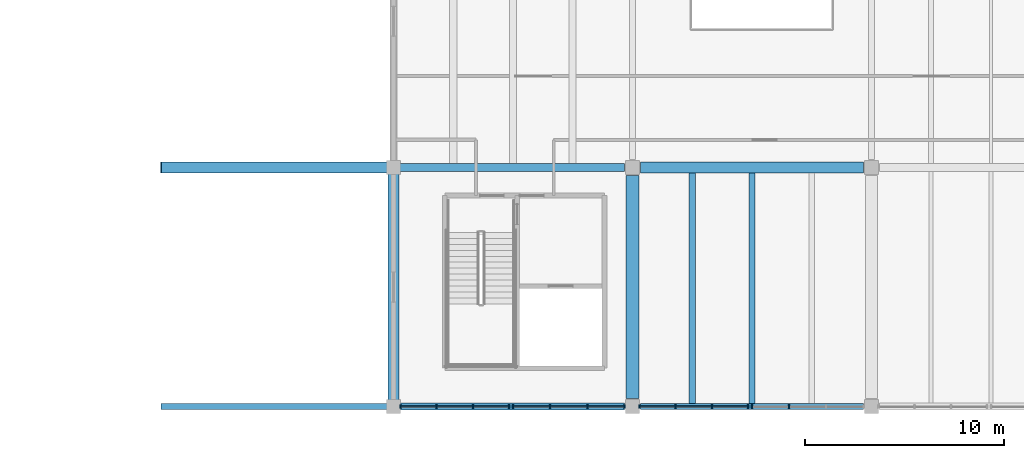
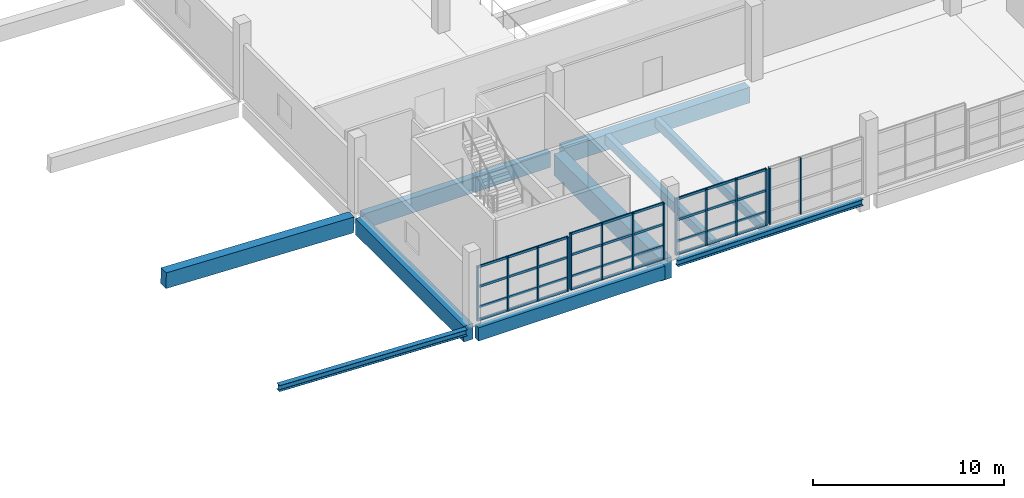
# One storey, part 7 of 49: 26 members, 10 beams, 4 elements without a shape of their own.
"""IFC4 building model written with IfcOpenShell, lengths in metres."""

from ifc_helpers import new_model, si_unit, direction, frame, origin, origin_2d, place, context, subcontext, project, spatial, rectangle, i_section, extrude, material, material_profile, profile_set, type_object, element, aggregate, save


model = new_model("IFC4")

# Units and contexts
model_context = context("Model", 3, precision=1e-05, world=origin(), true_north=direction((0.0, 1.0)))
body_context = subcontext(model_context, "Body", "Model", "MODEL_VIEW")
ifc_project = project(units=[si_unit("LENGTHUNIT", "METRE"), si_unit("AREAUNIT", "SQUARE_METRE"), si_unit("VOLUMEUNIT", "CUBIC_METRE"), si_unit("PLANEANGLEUNIT", "RADIAN"), si_unit("MASSUNIT", "GRAM", prefix="KILO")], contexts=[model_context])

# Site, building, storey
site_placement = place(None, origin())
site = spatial("IfcSite", under=ifc_project, at=site_placement, CompositionType="ELEMENT")
building_placement = place(site_placement, origin())
building = spatial("IfcBuilding", under=site, at=building_placement, Name="Kamomehara Wholesale Market", CompositionType="ELEMENT")
storey_placement = place(building_placement, frame((0.0, 0.0, 11.39990234375)))
storey = spatial("IfcBuildingStorey", under=building, at=storey_placement, Name="L02", CompositionType="ELEMENT", Elevation=11.39990234375)

# Beams
ifc_material_1 = material(Name="Precast concrete Fc45 (C40/50)", Category="concrete")
ifc_material_profile_1 = material_profile(ifc_material_1, rectangle(XDim=0.64990234375, YDim=1.35009765625, at=origin_2d()), Name="PC-GRD-650x1350")
ifc_profile_set_1 = profile_set([ifc_material_profile_1], Name="Precast concrete Fc45 (C40/50)")
beam_type_1 = type_object("IfcBeamType", Name="BM-PG1350", PredefinedType="T_BEAM", material=ifc_profile_set_1)
beam_1_placement = place(storey_placement, frame((120.0, 12.39990234375, -1.02685546875), z_axis=(0.0, 1.0, 0.0), x_axis=(-1.0, 0.0, 0.0)))
element("IfcBeam", 1, at=beam_1_placement, inside=storey, type_object=beam_type_1, Name="Beam PG-03 L02", PredefinedType="T_BEAM", context=body_context, shape_type="SweptSolid", body=[
    extrude(rectangle(XDim=0.64990234375, YDim=1.35009765625, at=origin_2d()), origin(), (0.0, 0.0, 1.0), 11.2001953125),
])
ifc_material_2 = material(Name="Precast concrete Fc45 (C40/50)", Category="concrete")
ifc_material_profile_2 = material_profile(ifc_material_2, rectangle(XDim=0.300048828125, YDim=0.550048828125, at=origin_2d()), Name="PC-JST-300x550")
ifc_profile_set_2 = profile_set([ifc_material_profile_2], Name="Precast concrete Fc45 (C40/50)")
beam_type_2 = type_object("IfcBeamType", Name="BM-PJ550", PredefinedType="JOIST", material=ifc_profile_set_2)
beam_2_placement = place(storey_placement, frame((126.0, 12.14990234375, -0.5869140625), z_axis=(0.0, 1.0, 0.0), x_axis=(-1.0, 0.0, 0.0)))
element("IfcBeam", 2, at=beam_2_placement, inside=storey, type_object=beam_type_2, Name="Beam PJ-06 L02", PredefinedType="JOIST", context=body_context, shape_type="SweptSolid", body=[
    extrude(rectangle(XDim=0.300048828125, YDim=0.550048828125, at=origin_2d()), origin(), (0.0, 0.0, 1.0), 11.5751953125),
])
ifc_material_3 = material(Name="Precast concrete Fc45 (C40/50)", Category="concrete")
ifc_material_profile_3 = material_profile(ifc_material_3, rectangle(XDim=0.320068359375, YDim=0.60009765625, at=origin_2d()), Name="PC-JST-320x600")
ifc_profile_set_3 = profile_set([ifc_material_profile_3], Name="Precast concrete Fc45 (C40/50)")
beam_type_3 = type_object("IfcBeamType", Name="BM-PJ600", PredefinedType="JOIST", material=ifc_profile_set_3)
beam_3_placement = place(storey_placement, frame((123.0, 12.14990234375, -0.61181640625), z_axis=(0.0, 1.0, 0.0), x_axis=(-1.0, 0.0, 0.0)))
element("IfcBeam", 3, at=beam_3_placement, inside=storey, type_object=beam_type_3, Name="Beam PJ-05 L02", PredefinedType="JOIST", context=body_context, shape_type="SweptSolid", body=[
    extrude(rectangle(XDim=0.320068359375, YDim=0.60009765625, at=origin_2d()), origin(), (0.0, 0.0, 1.0), 11.5751953125),
])
ifc_material_4 = material(Name="Concrete Fc36 (C35/45)", Category="concrete")
ifc_material_profile_4 = material_profile(ifc_material_4, rectangle(XDim=0.550048828125, YDim=1.0, at=origin_2d()), Name="RC-SEB-550x1000")
ifc_profile_set_4 = profile_set([ifc_material_profile_4], Name="Concrete Fc36 (C35/45)")
beam_type_4 = type_object("IfcBeamType", Name="BM-SEB1000-EXT", PredefinedType="SPANDREL", material=ifc_profile_set_4)
beam_4_placement = place(storey_placement, frame((108.0, 12.324951171875, -0.851806640625), z_axis=(0.0, 1.0, 0.0), x_axis=(-1.0, 0.0, 0.0)))
element("IfcBeam", 4, at=beam_4_placement, inside=storey, type_object=beam_type_4, Name="Beam SEB-03E L02", PredefinedType="SPANDREL", context=body_context, shape_type="SweptSolid", body=[
    extrude(rectangle(XDim=0.550048828125, YDim=1.0, at=origin_2d()), origin(), (0.0, 0.0, 1.0), 11.35009765625),
])
beam_5_placement = place(storey_placement, frame((96.324951171875, 24.0, -0.35986328125), z_axis=(0.999379124949, 0.0, -0.035233004642), x_axis=(0.0, 1.0, 0.0)))
element("IfcBeam", 5, at=beam_5_placement, inside=storey, type_object=beam_type_4, Name="Beam SEB-03E L02", PredefinedType="SPANDREL", context=body_context, shape_type="SweptSolid", body=[
    extrude(rectangle(XDim=0.550048828125, YDim=1.0, at=origin_2d()), origin(), (0.0, 0.0, 1.0), 11.357177734375),
])
beam_6_placement = place(storey_placement, frame((120.39990234375, 24.0, -0.841796875), z_axis=(1.0, 0.0, 0.0), x_axis=(0.0, 1.0, 0.0)))
element("IfcBeam", 6, at=beam_6_placement, inside=storey, type_object=beam_type_4, Name="Beam SEB-03E L02", PredefinedType="SPANDREL", context=body_context, shape_type="SweptSolid", body=[
    extrude(rectangle(XDim=0.550048828125, YDim=1.0, at=origin_2d()), origin(), (0.0, 0.0, 1.0), 11.2001953125),
])
ifc_material_5 = material(Name="Precast concrete Fc45 (C40/50)", Category="concrete")
ifc_material_profile_5 = material_profile(ifc_material_5, rectangle(XDim=0.35009765625, YDim=0.85009765625, at=origin_2d()), Name="PC-SPN-350x850")
ifc_profile_set_5 = profile_set([ifc_material_profile_5], Name="Precast concrete Fc45 (C40/50)")
beam_type_5 = type_object("IfcBeamType", Name="BM-SPN850-EXT", PredefinedType="SPANDREL", material=ifc_profile_set_5)
beam_7_placement = place(storey_placement, frame((108.324951171875, 12.0, -0.77685546875), z_axis=(1.0, 0.0, 0.0), x_axis=(0.0, 1.0, 0.0)))
element("IfcBeam", 7, at=beam_7_placement, inside=storey, type_object=beam_type_5, Name="Beam SPN-02E L02", PredefinedType="SPANDREL", context=body_context, shape_type="SweptSolid", body=[
    extrude(rectangle(XDim=0.35009765625, YDim=0.85009765625, at=origin_2d()), origin(), (0.0, 0.0, 1.0), 11.275146484375),
])
ifc_material_6 = material(Name="Precast concrete Fc45 (C40/50)", Category="concrete")
ifc_material_profile_6 = material_profile(ifc_material_6, rectangle(XDim=0.39990234375, YDim=0.949951171875, at=origin_2d()), Name="PC-SPN-400x950")
ifc_profile_set_6 = profile_set([ifc_material_profile_6], Name="Precast concrete Fc45 (C40/50)")
beam_type_6 = type_object("IfcBeamType", Name="BM-SPN950-EXT", PredefinedType="SPANDREL", material=ifc_profile_set_6)
beam_8_placement = place(storey_placement, frame((108.324951171875, 24.0, -0.826904296875), z_axis=(1.0, 0.0, 0.0), x_axis=(0.0, 1.0, 0.0)))
element("IfcBeam", 8, at=beam_8_placement, inside=storey, type_object=beam_type_6, Name="Beam SPN-01E L02", PredefinedType="SPANDREL", context=body_context, shape_type="SweptSolid", body=[
    extrude(rectangle(XDim=0.39990234375, YDim=0.949951171875, at=origin_2d()), origin(), (0.0, 0.0, 1.0), 11.275146484375),
])
ifc_material_7 = material(Name="Steel SN490B", Category="steel")
ifc_material_profile_7 = material_profile(ifc_material_7, i_section(OverallWidth=0.300048828125, OverallDepth=0.389892578125, WebThickness=0.010009765625, FlangeThickness=0.01611328125, FilletRadius=0.01806640625, at=origin_2d()), Name="H-390x300x10x16")
ifc_profile_set_7 = profile_set([ifc_material_profile_7], Name="Steel SN490B")
beam_type_7 = type_object("IfcBeamType", Name="BM-ST-H390-EXT", PredefinedType="SPANDREL", material=ifc_profile_set_7)
beam_9_placement = place(storey_placement, frame((96.324951171875, 12.0, -0.054931640625), z_axis=(0.99937988164, 0.0, -0.035211534655), x_axis=(0.0, 1.0, 0.0)))
element("IfcBeam", 9, at=beam_9_placement, inside=storey, type_object=beam_type_7, Name="Beam SJ-03E L02", PredefinedType="SPANDREL", context=body_context, shape_type="SweptSolid", body=[
    extrude(i_section(OverallWidth=0.300048828125, OverallDepth=0.389892578125, WebThickness=0.010009765625, FlangeThickness=0.01611328125, FilletRadius=0.01806640625, at=origin_2d()), origin(), (0.0, 0.0, 1.0), 11.357177734375),
])
beam_10_placement = place(storey_placement, frame((120.39990234375, 12.0, -0.5068359375), z_axis=(1.0, 0.0, 0.0), x_axis=(0.0, 1.0, 0.0)))
element("IfcBeam", 10, at=beam_10_placement, inside=storey, type_object=beam_type_7, Name="Beam SJ-03E L02", PredefinedType="SPANDREL", context=body_context, shape_type="SweptSolid", body=[
    extrude(i_section(OverallWidth=0.300048828125, OverallDepth=0.389892578125, WebThickness=0.010009765625, FlangeThickness=0.01611328125, FilletRadius=0.01806640625, at=origin_2d()), origin(), (0.0, 0.0, 1.0), 11.2001953125),
])

# Curtain wall, members
ifc_material_8 = material(Name="Anodised aluminium 6063-T5", Category="aluminium")
curtain_wall_type = type_object("IfcCurtainWallType", Name="CW-UN-01", PredefinedType="NOTDEFINED", material=ifc_material_8)
curtain_wall_1_placement = place(storey_placement, origin())
curtain_wall_1 = element("IfcCurtainWall", 11, at=curtain_wall_1_placement, inside=storey, type_object=curtain_wall_type, Name="Unitised curtain wall CW-143", PredefinedType="NOTDEFINED")
ifc_material_9 = material(Name="Anodised aluminium 6063-T5", Category="aluminium")
ifc_material_profile_8 = material_profile(ifc_material_9, rectangle(XDim=0.074951171875, YDim=0.179931640625, at=origin_2d()), Name="ALU-MUL-75x180")
ifc_profile_set_8 = profile_set([ifc_material_profile_8], Name="Anodised aluminium 6063-T5")
member_type_1 = type_object("IfcMemberType", Name="CW-MUL-180", PredefinedType="MULLION", material=ifc_profile_set_8)
member_1_placement = place(storey_placement, frame((119.60009765625, 12.0, 0.0), z_axis=(0.0, 0.0, 1.0), x_axis=(-1.0, 0.0, 0.0)))
member_1 = element("IfcMember", 12, at=member_1_placement, type_object=member_type_1, Name="Mullion CW-143.0", PredefinedType="MULLION", context=body_context, shape_type="SweptSolid", body=[
    extrude(rectangle(XDim=0.074951171875, YDim=0.179931640625, at=origin_2d()), origin(), (0.0, 0.0, 1.0), 3.608154296875),
])
member_2_placement = place(storey_placement, frame((117.73291015625, 12.0, 0.0), z_axis=(0.0, 0.0, 1.0), x_axis=(-1.0, 0.0, 0.0)))
member_2 = element("IfcMember", 13, at=member_2_placement, type_object=member_type_1, Name="Mullion CW-143.1", PredefinedType="MULLION", context=body_context, shape_type="SweptSolid", body=[
    extrude(rectangle(XDim=0.074951171875, YDim=0.179931640625, at=origin_2d()), origin(), (0.0, 0.0, 1.0), 3.608154296875),
])
member_3_placement = place(storey_placement, frame((115.866943359375, 12.0, 0.0), z_axis=(0.0, 0.0, 1.0), x_axis=(-1.0, 0.0, 0.0)))
member_3 = element("IfcMember", 14, at=member_3_placement, type_object=member_type_1, Name="Mullion CW-143.2", PredefinedType="MULLION", context=body_context, shape_type="SweptSolid", body=[
    extrude(rectangle(XDim=0.074951171875, YDim=0.179931640625, at=origin_2d()), origin(), (0.0, 0.0, 1.0), 3.608154296875),
])
member_4_placement = place(storey_placement, frame((114.0, 12.0, 0.0), z_axis=(0.0, 0.0, 1.0), x_axis=(-1.0, 0.0, 0.0)))
member_4 = element("IfcMember", 15, at=member_4_placement, type_object=member_type_1, Name="Mullion CW-143.3", PredefinedType="MULLION", context=body_context, shape_type="SweptSolid", body=[
    extrude(rectangle(XDim=0.074951171875, YDim=0.179931640625, at=origin_2d()), origin(), (0.0, 0.0, 1.0), 3.608154296875),
])

curtain_wall_2_placement = place(storey_placement, origin())
curtain_wall_2 = element("IfcCurtainWall", 16, at=curtain_wall_2_placement, inside=storey, type_object=curtain_wall_type, Name="Unitised curtain wall CW-144", PredefinedType="NOTDEFINED")
member_5_placement = place(storey_placement, frame((113.800048828125, 12.0, 0.0), z_axis=(0.0, 0.0, 1.0), x_axis=(-1.0, 0.0, 0.0)))
member_5 = element("IfcMember", 17, at=member_5_placement, type_object=member_type_1, Name="Mullion CW-144.0", PredefinedType="MULLION", context=body_context, shape_type="SweptSolid", body=[
    extrude(rectangle(XDim=0.074951171875, YDim=0.179931640625, at=origin_2d()), origin(), (0.0, 0.0, 1.0), 3.4580078125),
])
member_6_placement = place(storey_placement, frame((111.987060546875, 12.0, 0.0), z_axis=(0.0, 0.0, 1.0), x_axis=(-1.0, 0.0, 0.0)))
member_6 = element("IfcMember", 18, at=member_6_placement, type_object=member_type_1, Name="Mullion CW-144.1", PredefinedType="MULLION", context=body_context, shape_type="SweptSolid", body=[
    extrude(rectangle(XDim=0.074951171875, YDim=0.179931640625, at=origin_2d()), origin(), (0.0, 0.0, 1.0), 3.4580078125),
])
member_7_placement = place(storey_placement, frame((110.173095703125, 12.0, 0.0), z_axis=(0.0, 0.0, 1.0), x_axis=(-1.0, 0.0, 0.0)))
member_7 = element("IfcMember", 19, at=member_7_placement, type_object=member_type_1, Name="Mullion CW-144.2", PredefinedType="MULLION", context=body_context, shape_type="SweptSolid", body=[
    extrude(rectangle(XDim=0.074951171875, YDim=0.179931640625, at=origin_2d()), origin(), (0.0, 0.0, 1.0), 3.4580078125),
])
member_8_placement = place(storey_placement, frame((108.360107421875, 12.0, 0.0), z_axis=(0.0, 0.0, 1.0), x_axis=(-1.0, 0.0, 0.0)))
member_8 = element("IfcMember", 20, at=member_8_placement, type_object=member_type_1, Name="Mullion CW-144.3", PredefinedType="MULLION", context=body_context, shape_type="SweptSolid", body=[
    extrude(rectangle(XDim=0.074951171875, YDim=0.179931640625, at=origin_2d()), origin(), (0.0, 0.0, 1.0), 3.4580078125),
])

curtain_wall_3_placement = place(storey_placement, origin())
curtain_wall_3 = element("IfcCurtainWall", 21, at=curtain_wall_3_placement, inside=storey, type_object=curtain_wall_type, Name="Unitised curtain wall CW-145", PredefinedType="NOTDEFINED")
member_9_placement = place(storey_placement, frame((127.866943359375, 12.0, 0.0), z_axis=(0.0, 0.0, 1.0), x_axis=(-1.0, 0.0, 0.0)))
member_9 = element("IfcMember", 22, at=member_9_placement, type_object=member_type_1, Name="Mullion CW-145.2", PredefinedType="MULLION", context=body_context, shape_type="SweptSolid", body=[
    extrude(rectangle(XDim=0.074951171875, YDim=0.179931640625, at=origin_2d()), origin(), (0.0, 0.0, 1.0), 3.59814453125),
])
member_10_placement = place(storey_placement, frame((126.0, 12.0, 0.0), z_axis=(0.0, 0.0, 1.0), x_axis=(-1.0, 0.0, 0.0)))
member_10 = element("IfcMember", 23, at=member_10_placement, type_object=member_type_1, Name="Mullion CW-145.3", PredefinedType="MULLION", context=body_context, shape_type="SweptSolid", body=[
    extrude(rectangle(XDim=0.074951171875, YDim=0.179931640625, at=origin_2d()), origin(), (0.0, 0.0, 1.0), 3.59814453125),
])
aggregate(curtain_wall_3, [member_9, member_10])

curtain_wall_4_placement = place(storey_placement, origin())
curtain_wall_4 = element("IfcCurtainWall", 24, at=curtain_wall_4_placement, inside=storey, type_object=curtain_wall_type, Name="Unitised curtain wall CW-146", PredefinedType="NOTDEFINED")
member_11_placement = place(storey_placement, frame((125.800048828125, 12.0, 0.0), z_axis=(0.0, 0.0, 1.0), x_axis=(-1.0, 0.0, 0.0)))
member_11 = element("IfcMember", 25, at=member_11_placement, type_object=member_type_1, Name="Mullion CW-146.0", PredefinedType="MULLION", context=body_context, shape_type="SweptSolid", body=[
    extrude(rectangle(XDim=0.074951171875, YDim=0.179931640625, at=origin_2d()), origin(), (0.0, 0.0, 1.0), 3.59814453125),
])
member_12_placement = place(storey_placement, frame((123.987060546875, 12.0, 0.0), z_axis=(0.0, 0.0, 1.0), x_axis=(-1.0, 0.0, 0.0)))
member_12 = element("IfcMember", 26, at=member_12_placement, type_object=member_type_1, Name="Mullion CW-146.1", PredefinedType="MULLION", context=body_context, shape_type="SweptSolid", body=[
    extrude(rectangle(XDim=0.074951171875, YDim=0.179931640625, at=origin_2d()), origin(), (0.0, 0.0, 1.0), 3.59814453125),
])
member_13_placement = place(storey_placement, frame((122.173095703125, 12.0, 0.0), z_axis=(0.0, 0.0, 1.0), x_axis=(-1.0, 0.0, 0.0)))
member_13 = element("IfcMember", 27, at=member_13_placement, type_object=member_type_1, Name="Mullion CW-146.2", PredefinedType="MULLION", context=body_context, shape_type="SweptSolid", body=[
    extrude(rectangle(XDim=0.074951171875, YDim=0.179931640625, at=origin_2d()), origin(), (0.0, 0.0, 1.0), 3.59814453125),
])
member_14_placement = place(storey_placement, frame((120.360107421875, 12.0, 0.0), z_axis=(0.0, 0.0, 1.0), x_axis=(-1.0, 0.0, 0.0)))
member_14 = element("IfcMember", 28, at=member_14_placement, type_object=member_type_1, Name="Mullion CW-146.3", PredefinedType="MULLION", context=body_context, shape_type="SweptSolid", body=[
    extrude(rectangle(XDim=0.074951171875, YDim=0.179931640625, at=origin_2d()), origin(), (0.0, 0.0, 1.0), 3.59814453125),
])

# Member
ifc_material_10 = material(Name="Anodised aluminium 6063-T5", Category="aluminium")
ifc_material_profile_9 = material_profile(ifc_material_10, rectangle(XDim=0.074951171875, YDim=0.14990234375, at=origin_2d()), Name="ALU-TRN-75x150")
ifc_profile_set_9 = profile_set([ifc_material_profile_9], Name="Anodised aluminium 6063-T5")
member_type_2 = type_object("IfcMemberType", Name="CW-TRN-150", PredefinedType="USERDEFINED", material=ifc_profile_set_9)
member_15_placement = place(storey_placement, frame((119.60009765625, 12.0, 0.0400390625), z_axis=(-1.0, 0.0, 0.0), x_axis=(0.0, -1.0, 0.0)))
member_15 = element("IfcMember", 29, at=member_15_placement, type_object=member_type_2, Name="Transom CW-143.0", ObjectType="TRANSOM", PredefinedType="USERDEFINED", context=body_context, shape_type="SweptSolid", body=[
    extrude(rectangle(XDim=0.074951171875, YDim=0.14990234375, at=origin_2d()), origin(), (0.0, 0.0, 1.0), 5.60009765625),
])

member_16_placement = place(storey_placement, frame((119.60009765625, 12.0, 0.85009765625), z_axis=(-1.0, 0.0, 0.0), x_axis=(0.0, -1.0, 0.0)))
member_16 = element("IfcMember", 30, at=member_16_placement, type_object=member_type_2, Name="Transom CW-143.1", ObjectType="TRANSOM", PredefinedType="USERDEFINED", context=body_context, shape_type="SweptSolid", body=[
    extrude(rectangle(XDim=0.074951171875, YDim=0.14990234375, at=origin_2d()), origin(), (0.0, 0.0, 1.0), 5.60009765625),
])

member_17_placement = place(storey_placement, frame((119.60009765625, 12.0, 2.22900390625), z_axis=(-1.0, 0.0, 0.0), x_axis=(0.0, -1.0, 0.0)))
member_17 = element("IfcMember", 31, at=member_17_placement, type_object=member_type_2, Name="Transom CW-143.2", ObjectType="TRANSOM", PredefinedType="USERDEFINED", context=body_context, shape_type="SweptSolid", body=[
    extrude(rectangle(XDim=0.074951171875, YDim=0.14990234375, at=origin_2d()), origin(), (0.0, 0.0, 1.0), 5.60009765625),
])

member_18_placement = place(storey_placement, frame((119.60009765625, 12.0, 3.568115234375), z_axis=(-1.0, 0.0, 0.0), x_axis=(0.0, -1.0, 0.0)))
member_18 = element("IfcMember", 32, at=member_18_placement, type_object=member_type_2, Name="Transom CW-143.3", ObjectType="TRANSOM", PredefinedType="USERDEFINED", context=body_context, shape_type="SweptSolid", body=[
    extrude(rectangle(XDim=0.074951171875, YDim=0.14990234375, at=origin_2d()), origin(), (0.0, 0.0, 1.0), 5.60009765625),
])

aggregate(curtain_wall_1, [member_1, member_2, member_3, member_4, member_15, member_16, member_17, member_18])

member_19_placement = place(storey_placement, frame((113.800048828125, 12.0, 0.0400390625), z_axis=(-1.0, 0.0, 0.0), x_axis=(0.0, -1.0, 0.0)))
member_19 = element("IfcMember", 33, at=member_19_placement, type_object=member_type_2, Name="Transom CW-144.0", ObjectType="TRANSOM", PredefinedType="USERDEFINED", context=body_context, shape_type="SweptSolid", body=[
    extrude(rectangle(XDim=0.074951171875, YDim=0.14990234375, at=origin_2d()), origin(), (0.0, 0.0, 1.0), 5.43994140625),
])

member_20_placement = place(storey_placement, frame((113.800048828125, 12.0, 0.85009765625), z_axis=(-1.0, 0.0, 0.0), x_axis=(0.0, -1.0, 0.0)))
member_20 = element("IfcMember", 34, at=member_20_placement, type_object=member_type_2, Name="Transom CW-144.1", ObjectType="TRANSOM", PredefinedType="USERDEFINED", context=body_context, shape_type="SweptSolid", body=[
    extrude(rectangle(XDim=0.074951171875, YDim=0.14990234375, at=origin_2d()), origin(), (0.0, 0.0, 1.0), 5.43994140625),
])

member_21_placement = place(storey_placement, frame((113.800048828125, 12.0, 2.154052734375), z_axis=(-1.0, 0.0, 0.0), x_axis=(0.0, -1.0, 0.0)))
member_21 = element("IfcMember", 35, at=member_21_placement, type_object=member_type_2, Name="Transom CW-144.2", ObjectType="TRANSOM", PredefinedType="USERDEFINED", context=body_context, shape_type="SweptSolid", body=[
    extrude(rectangle(XDim=0.074951171875, YDim=0.14990234375, at=origin_2d()), origin(), (0.0, 0.0, 1.0), 5.43994140625),
])

member_22_placement = place(storey_placement, frame((113.800048828125, 12.0, 3.418212890625), z_axis=(-1.0, 0.0, 0.0), x_axis=(0.0, -1.0, 0.0)))
member_22 = element("IfcMember", 36, at=member_22_placement, type_object=member_type_2, Name="Transom CW-144.3", ObjectType="TRANSOM", PredefinedType="USERDEFINED", context=body_context, shape_type="SweptSolid", body=[
    extrude(rectangle(XDim=0.074951171875, YDim=0.14990234375, at=origin_2d()), origin(), (0.0, 0.0, 1.0), 5.43994140625),
])

aggregate(curtain_wall_2, [member_5, member_6, member_7, member_8, member_19, member_20, member_21, member_22])

member_23_placement = place(storey_placement, frame((125.800048828125, 12.0, 0.0400390625), z_axis=(-1.0, 0.0, 0.0), x_axis=(0.0, -1.0, 0.0)))
member_23 = element("IfcMember", 37, at=member_23_placement, type_object=member_type_2, Name="Transom CW-146.0", ObjectType="TRANSOM", PredefinedType="USERDEFINED", context=body_context, shape_type="SweptSolid", body=[
    extrude(rectangle(XDim=0.074951171875, YDim=0.14990234375, at=origin_2d()), origin(), (0.0, 0.0, 1.0), 5.43994140625),
])

member_24_placement = place(storey_placement, frame((125.800048828125, 12.0, 0.85009765625), z_axis=(-1.0, 0.0, 0.0), x_axis=(0.0, -1.0, 0.0)))
member_24 = element("IfcMember", 38, at=member_24_placement, type_object=member_type_2, Name="Transom CW-146.1", ObjectType="TRANSOM", PredefinedType="USERDEFINED", context=body_context, shape_type="SweptSolid", body=[
    extrude(rectangle(XDim=0.074951171875, YDim=0.14990234375, at=origin_2d()), origin(), (0.0, 0.0, 1.0), 5.43994140625),
])

member_25_placement = place(storey_placement, frame((125.800048828125, 12.0, 2.22412109375), z_axis=(-1.0, 0.0, 0.0), x_axis=(0.0, -1.0, 0.0)))
member_25 = element("IfcMember", 39, at=member_25_placement, type_object=member_type_2, Name="Transom CW-146.2", ObjectType="TRANSOM", PredefinedType="USERDEFINED", context=body_context, shape_type="SweptSolid", body=[
    extrude(rectangle(XDim=0.074951171875, YDim=0.14990234375, at=origin_2d()), origin(), (0.0, 0.0, 1.0), 5.43994140625),
])

member_26_placement = place(storey_placement, frame((125.800048828125, 12.0, 3.55810546875), z_axis=(-1.0, 0.0, 0.0), x_axis=(0.0, -1.0, 0.0)))
member_26 = element("IfcMember", 40, at=member_26_placement, type_object=member_type_2, Name="Transom CW-146.3", ObjectType="TRANSOM", PredefinedType="USERDEFINED", context=body_context, shape_type="SweptSolid", body=[
    extrude(rectangle(XDim=0.074951171875, YDim=0.14990234375, at=origin_2d()), origin(), (0.0, 0.0, 1.0), 5.43994140625),
])

aggregate(curtain_wall_4, [member_11, member_12, member_13, member_14, member_23, member_24, member_25, member_26])

save(model, "model.ifc")
